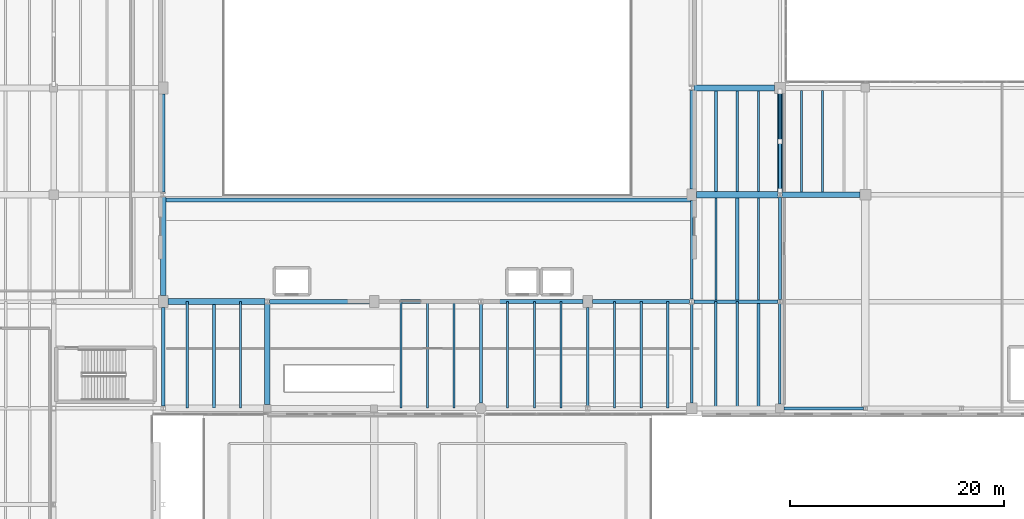
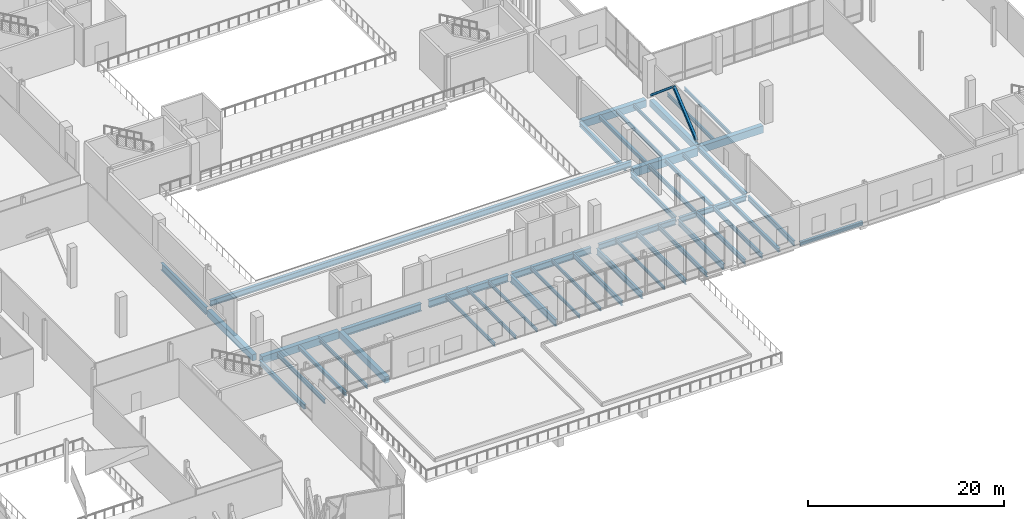
# One storey, part 21 of 60: 46 beams, 2 members.
"""IFC4 building model written with IfcOpenShell, lengths in metres."""

from ifc_helpers import new_model, si_unit, direction, frame, origin, origin_2d, place, context, subcontext, project, spatial, rectangle, hollow_rectangle, i_section, extrude, material, material_profile, profile_set, type_object, element, save


model = new_model("IFC4")

# Units and contexts
model_context = context("Model", 3, precision=1e-05, world=origin(), true_north=direction((0.0, 1.0)))
body_context = subcontext(model_context, "Body", "Model", "MODEL_VIEW")
ifc_project = project(units=[si_unit("LENGTHUNIT", "METRE"), si_unit("AREAUNIT", "SQUARE_METRE"), si_unit("VOLUMEUNIT", "CUBIC_METRE"), si_unit("PLANEANGLEUNIT", "RADIAN"), si_unit("MASSUNIT", "GRAM", prefix="KILO")], contexts=[model_context])

# Site, building, storey
site_placement = place(None, origin())
site = spatial("IfcSite", under=ifc_project, at=site_placement, CompositionType="ELEMENT")
building_placement = place(site_placement, origin())
building = spatial("IfcBuilding", under=site, at=building_placement, Name="Trimount Lyric Opera House", CompositionType="ELEMENT")
storey_placement = place(building_placement, frame((0.0, 0.0, 15.0)))
storey = spatial("IfcBuildingStorey", under=building, at=storey_placement, Name="L03", CompositionType="ELEMENT", Elevation=15.0)

# Beams
ifc_material_1 = material(Name="Steel ASTM A992 Grade 50", Category="steel")
ifc_material_profile_1 = material_profile(ifc_material_1, i_section(OverallWidth=0.4189453125, OverallDepth=0.927001953125, WebThickness=0.019287109375, FlangeThickness=0.031982421875, FilletRadius=0.02392578125, at=origin_2d()), Name="W36X231")
ifc_profile_set_1 = profile_set([ifc_material_profile_1], Name="Steel ASTM A992 Grade 50")
beam_type_1 = type_object("IfcBeamType", Name="B-02", PredefinedType="BEAM", material=ifc_profile_set_1)
beam_1_placement = place(storey_placement, frame((74.2109375, 54.0, -0.78857421875), z_axis=(1.0, 0.0, 0.0), x_axis=(0.0, 1.0, 0.0)))
element("IfcBeam", 1, at=beam_1_placement, inside=storey, type_object=beam_type_1, Name="L03 girder X-0960", PredefinedType="BEAM", context=body_context, shape_type="SweptSolid", body=[
    extrude(i_section(OverallWidth=0.4189453125, OverallDepth=0.927001953125, WebThickness=0.019287109375, FlangeThickness=0.031982421875, FilletRadius=0.02392578125, at=origin_2d()), origin(), (0.0, 0.0, 1.0), 9.339111328125),
])
ifc_material_2 = material(Name="Steel ASTM A992 Grade 50", Category="steel")
ifc_material_profile_2 = material_profile(ifc_material_2, i_section(OverallWidth=0.304931640625, OverallDepth=0.9189453125, WebThickness=0.017333984375, FlangeThickness=0.02783203125, FilletRadius=0.02001953125, at=origin_2d()), Name="W36X170")
ifc_profile_set_2 = profile_set([ifc_material_profile_2], Name="Steel ASTM A992 Grade 50")
beam_type_2 = type_object("IfcBeamType", Name="B-03", PredefinedType="BEAM", material=ifc_profile_set_2)
beam_2_placement = place(storey_placement, frame((64.260009765625, 64.232421875, -0.784423828125), z_axis=(0.0, 1.0, 0.0), x_axis=(-1.0, 0.0, 0.0)))
element("IfcBeam", 2, at=beam_2_placement, inside=storey, type_object=beam_type_2, Name="L03 girder Y-1076", PredefinedType="BEAM", context=body_context, shape_type="SweptSolid", body=[
    extrude(i_section(OverallWidth=0.304931640625, OverallDepth=0.9189453125, WebThickness=0.017333984375, FlangeThickness=0.02783203125, FilletRadius=0.02001953125, at=origin_2d()), origin(), (0.0, 0.0, 1.0), 9.217529296875),
])
ifc_material_3 = material(Name="Steel ASTM A992 Grade 50", Category="steel")
ifc_material_profile_3 = material_profile(ifc_material_3, i_section(OverallWidth=0.40087890625, OverallDepth=0.861083984375, WebThickness=0.019775390625, FlangeThickness=0.032470703125, FilletRadius=0.02001953125, at=origin_2d()), Name="W33X221")
ifc_profile_set_3 = profile_set([ifc_material_profile_3], Name="Steel ASTM A992 Grade 50")
beam_type_3 = type_object("IfcBeamType", Name="B-04", PredefinedType="BEAM", material=ifc_profile_set_3)
beam_3_placement = place(storey_placement, frame((84.449951171875, 54.0, -0.755615234375), z_axis=(1.0, 0.0, 0.0), x_axis=(0.0, 1.0, 0.0)))
element("IfcBeam", 3, at=beam_3_placement, inside=storey, type_object=beam_type_3, Name="L03 girder X-0961", PredefinedType="BEAM", context=body_context, shape_type="SweptSolid", body=[
    extrude(i_section(OverallWidth=0.40087890625, OverallDepth=0.861083984375, WebThickness=0.019775390625, FlangeThickness=0.032470703125, FilletRadius=0.02001953125, at=origin_2d()), origin(), (0.0, 0.0, 1.0), 9.339111328125),
])
ifc_material_4 = material(Name="Steel ASTM A992 Grade 50", Category="steel")
ifc_material_profile_4 = material_profile(ifc_material_4, i_section(OverallWidth=0.2919921875, OverallDepth=0.845947265625, WebThickness=0.015380859375, FlangeThickness=0.0244140625, FilletRadius=0.01806640625, at=origin_2d()), Name="W33X141")
ifc_profile_set_4 = profile_set([ifc_material_profile_4], Name="Steel ASTM A992 Grade 50")
beam_type_4 = type_object("IfcBeamType", Name="B-05", PredefinedType="BEAM", material=ifc_profile_set_4)
beam_4_placement = place(storey_placement, frame((94.0, 44.5, -0.748046875), z_axis=(0.0, 1.0, 0.0), x_axis=(-1.0, 0.0, 0.0)))
element("IfcBeam", 4, at=beam_4_placement, inside=storey, type_object=beam_type_4, Name="L03 girder Y-1086", PredefinedType="BEAM", context=body_context, shape_type="SweptSolid", body=[
    extrude(i_section(OverallWidth=0.2919921875, OverallDepth=0.845947265625, WebThickness=0.015380859375, FlangeThickness=0.0244140625, FilletRadius=0.01806640625, at=origin_2d()), origin(), (0.0, 0.0, 1.0), 9.267578125),
])
ifc_material_5 = material(Name="Steel ASTM A992 Grade 50", Category="steel")
ifc_material_profile_5 = material_profile(ifc_material_5, i_section(OverallWidth=0.382080078125, OverallDepth=0.779052734375, WebThickness=0.01806640625, FlangeThickness=0.0302734375, FilletRadius=0.01904296875, at=origin_2d()), Name="W30X191")
ifc_profile_set_5 = profile_set([ifc_material_profile_5], Name="Steel ASTM A992 Grade 50")
beam_type_5 = type_object("IfcBeamType", Name="B-06", PredefinedType="BEAM", material=ifc_profile_set_5)
beam_5_placement = place(storey_placement, frame((94.2109375, 54.0, -0.714599609375), z_axis=(1.0, 0.0, 0.0), x_axis=(0.0, 1.0, 0.0)))
element("IfcBeam", 5, at=beam_5_placement, inside=storey, type_object=beam_type_5, Name="L03 girder X-0962", PredefinedType="BEAM", context=body_context, shape_type="SweptSolid", body=[
    extrude(i_section(OverallWidth=0.382080078125, OverallDepth=0.779052734375, WebThickness=0.01806640625, FlangeThickness=0.0302734375, FilletRadius=0.01904296875, at=origin_2d()), origin(), (0.0, 0.0, 1.0), 9.339111328125),
])
ifc_material_6 = material(Name="Steel ASTM A992 Grade 50", Category="steel")
ifc_material_profile_6 = material_profile(ifc_material_6, i_section(OverallWidth=0.26708984375, OverallDepth=0.761962890625, WebThickness=0.014404296875, FlangeThickness=0.021484375, FilletRadius=0.01708984375, at=origin_2d()), Name="W30X116")
ifc_profile_set_6 = profile_set([ifc_material_profile_6], Name="Steel ASTM A992 Grade 50")
beam_type_6 = type_object("IfcBeamType", Name="B-07", PredefinedType="BEAM", material=ifc_profile_set_6)
beam_6_placement = place(storey_placement, frame((104.0, 44.232421875, -0.7060546875), z_axis=(0.0, 1.0, 0.0), x_axis=(-1.0, 0.0, 0.0)))
element("IfcBeam", 6, at=beam_6_placement, inside=storey, type_object=beam_type_6, Name="L03 girder Y-1087", PredefinedType="BEAM", context=body_context, shape_type="SweptSolid", body=[
    extrude(i_section(OverallWidth=0.26708984375, OverallDepth=0.761962890625, WebThickness=0.014404296875, FlangeThickness=0.021484375, FilletRadius=0.01708984375, at=origin_2d()), origin(), (0.0, 0.0, 1.0), 9.217529296875),
])
ifc_material_7 = material(Name="Steel ASTM A992 Grade 50", Category="steel")
ifc_material_profile_7 = material_profile(ifc_material_7, i_section(OverallWidth=0.35595703125, OverallDepth=0.700927734375, WebThickness=0.016845703125, FlangeThickness=0.02734375, FilletRadius=0.01806640625, at=origin_2d()), Name="W27X161")
ifc_profile_set_7 = profile_set([ifc_material_profile_7], Name="Steel ASTM A992 Grade 50")
beam_type_7 = type_object("IfcBeamType", Name="B-08", PredefinedType="BEAM", material=ifc_profile_set_7)
beam_7_placement = place(storey_placement, frame((104.449951171875, 54.0, -0.675537109375), z_axis=(1.0, 0.0, 0.0), x_axis=(0.0, 1.0, 0.0)))
element("IfcBeam", 7, at=beam_7_placement, inside=storey, type_object=beam_type_7, Name="L03 girder X-0963", PredefinedType="BEAM", context=body_context, shape_type="SweptSolid", body=[
    extrude(i_section(OverallWidth=0.35595703125, OverallDepth=0.700927734375, WebThickness=0.016845703125, FlangeThickness=0.02734375, FilletRadius=0.01806640625, at=origin_2d()), origin(), (0.0, 0.0, 1.0), 9.0791015625),
])
ifc_material_8 = material(Name="Steel ASTM A992 Grade 50", Category="steel")
ifc_material_profile_8 = material_profile(ifc_material_8, i_section(OverallWidth=0.25390625, OverallDepth=0.68798828125, WebThickness=0.01318359375, FlangeThickness=0.02099609375, FilletRadius=0.01611328125, at=origin_2d()), Name="W27X102")
ifc_profile_set_8 = profile_set([ifc_material_profile_8], Name="Steel ASTM A992 Grade 50")
beam_type_8 = type_object("IfcBeamType", Name="B-09", PredefinedType="BEAM", material=ifc_profile_set_8)
beam_8_placement = place(storey_placement, frame((113.739990234375, 44.5, -0.6689453125), z_axis=(0.0, 1.0, 0.0), x_axis=(-1.0, 0.0, 0.0)))
element("IfcBeam", 8, at=beam_8_placement, inside=storey, type_object=beam_type_8, Name="L03 girder Y-1089", PredefinedType="BEAM", context=body_context, shape_type="SweptSolid", body=[
    extrude(i_section(OverallWidth=0.25390625, OverallDepth=0.68798828125, WebThickness=0.01318359375, FlangeThickness=0.02099609375, FilletRadius=0.01611328125, at=origin_2d()), origin(), (0.0, 0.0, 1.0), 9.267578125),
])
ifc_material_9 = material(Name="Steel ASTM A992 Grade 50", Category="steel")
ifc_material_profile_9 = material_profile(ifc_material_9, i_section(OverallWidth=0.327880859375, OverallDepth=0.626953125, WebThickness=0.0166015625, FlangeThickness=0.027587890625, FilletRadius=0.01611328125, at=origin_2d()), Name="W24X146")
ifc_profile_set_9 = profile_set([ifc_material_profile_9], Name="Steel ASTM A992 Grade 50")
beam_type_9 = type_object("IfcBeamType", Name="B-10", PredefinedType="BEAM", material=ifc_profile_set_9)
beam_9_placement = place(storey_placement, frame((113.950927734375, 54.0, -0.638427734375), z_axis=(1.0, 0.0, 0.0), x_axis=(0.0, 1.0, 0.0)))
element("IfcBeam", 9, at=beam_9_placement, inside=storey, type_object=beam_type_9, Name="L03 girder X-0964", PredefinedType="BEAM", context=body_context, shape_type="SweptSolid", body=[
    extrude(i_section(OverallWidth=0.327880859375, OverallDepth=0.626953125, WebThickness=0.0166015625, FlangeThickness=0.027587890625, FilletRadius=0.01611328125, at=origin_2d()), origin(), (0.0, 0.0, 1.0), 7.862548828125),
])
ifc_material_10 = material(Name="Steel ASTM A992 Grade 50", Category="steel")
ifc_material_profile_10 = material_profile(ifc_material_10, i_section(OverallWidth=0.22998046875, OverallDepth=0.616943359375, WebThickness=0.01318359375, FlangeThickness=0.022216796875, FilletRadius=0.013916015625, at=origin_2d()), Name="W24X94")
ifc_profile_set_10 = profile_set([ifc_material_profile_10], Name="Steel ASTM A992 Grade 50")
beam_type_10 = type_object("IfcBeamType", Name="B-11", PredefinedType="BEAM", material=ifc_profile_set_10)
beam_10_placement = place(storey_placement, frame((113.739990234375, 54.232421875, -0.633544921875), z_axis=(0.0, 1.0, 0.0), x_axis=(-1.0, 0.0, 0.0)))
element("IfcBeam", 10, at=beam_10_placement, inside=storey, type_object=beam_type_10, Name="L03 girder Y-1090", PredefinedType="BEAM", context=body_context, shape_type="SweptSolid", body=[
    extrude(i_section(OverallWidth=0.22998046875, OverallDepth=0.616943359375, WebThickness=0.01318359375, FlangeThickness=0.022216796875, FilletRadius=0.013916015625, at=origin_2d()), origin(), (0.0, 0.0, 1.0), 9.217529296875),
])
beam_11_placement = place(storey_placement, frame((122.0, 44.39990234375, -0.57861328125), z_axis=(0.0, 1.0, 0.0), x_axis=(-1.0, 0.0, 0.0)))
element("IfcBeam", 11, at=beam_11_placement, inside=storey, type_object=beam_type_10, Name="L03 girder Y-1096", PredefinedType="BEAM", context=body_context, shape_type="SweptSolid", body=[
    extrude(i_section(OverallWidth=0.22998046875, OverallDepth=0.616943359375, WebThickness=0.01318359375, FlangeThickness=0.022216796875, FilletRadius=0.013916015625, at=origin_2d()), origin(), (0.0, 0.0, 1.0), 9.416015625),
])
ifc_material_11 = material(Name="Steel ASTM A992 Grade 50", Category="steel")
ifc_material_profile_11 = material_profile(ifc_material_11, i_section(OverallWidth=0.31201171875, OverallDepth=0.5458984375, WebThickness=0.013916015625, FlangeThickness=0.022216796875, FilletRadius=0.014892578125, at=origin_2d()), Name="W21X111")
ifc_profile_set_11 = profile_set([ifc_material_profile_11], Name="Steel ASTM A992 Grade 50")
beam_type_11 = type_object("IfcBeamType", Name="B-12", PredefinedType="BEAM", material=ifc_profile_set_11)
beam_12_placement = place(storey_placement, frame((64.260009765625, 44.20849609375, -0.597900390625), z_axis=(0.0, 1.0, 0.0), x_axis=(-1.0, 0.0, 0.0)))
element("IfcBeam", 12, at=beam_12_placement, inside=storey, type_object=beam_type_11, Name="L03 girder Y-1074", PredefinedType="BEAM", context=body_context, shape_type="SweptSolid", body=[
    extrude(i_section(OverallWidth=0.31201171875, OverallDepth=0.5458984375, WebThickness=0.013916015625, FlangeThickness=0.022216796875, FilletRadius=0.014892578125, at=origin_2d()), origin(), (0.0, 0.0, 1.0), 9.241455078125),
])
beam_13_placement = place(storey_placement, frame((113.739990234375, 64.550048828125, -0.597900390625), z_axis=(0.0, 1.0, 0.0), x_axis=(-1.0, 0.0, 0.0)))
element("IfcBeam", 13, at=beam_13_placement, inside=storey, type_object=beam_type_11, Name="L03 girder Y-1091", PredefinedType="BEAM", context=body_context, shape_type="SweptSolid", body=[
    extrude(i_section(OverallWidth=0.31201171875, OverallDepth=0.5458984375, WebThickness=0.013916015625, FlangeThickness=0.022216796875, FilletRadius=0.014892578125, at=origin_2d()), origin(), (0.0, 0.0, 1.0), 9.217529296875),
])
beam_14_placement = place(storey_placement, frame((122.0, 54.18408203125, -0.54296875), z_axis=(0.0, 1.0, 0.0), x_axis=(-1.0, 0.0, 0.0)))
element("IfcBeam", 14, at=beam_14_placement, inside=storey, type_object=beam_type_11, Name="L03 girder Y-1097", PredefinedType="BEAM", context=body_context, shape_type="SweptSolid", body=[
    extrude(i_section(OverallWidth=0.31201171875, OverallDepth=0.5458984375, WebThickness=0.013916015625, FlangeThickness=0.022216796875, FilletRadius=0.014892578125, at=origin_2d()), origin(), (0.0, 0.0, 1.0), 9.622802734375),
])
ifc_material_12 = material(Name="Concrete C40/50", Category="concrete")
ifc_material_profile_12 = material_profile(ifc_material_12, rectangle(XDim=0.60009765625, YDim=1.0, at=origin_2d()), Name="RC600X1000")
ifc_profile_set_12 = profile_set([ifc_material_profile_12], Name="Concrete C40/50")
beam_type_12 = type_object("IfcBeamType", Name="B-13", PredefinedType="BEAM", material=ifc_profile_set_12)
beam_15_placement = place(storey_placement, frame((114.18994140625, 64.0, -0.824951171875), z_axis=(1.0, 0.0, 0.0), x_axis=(0.0, 1.0, 0.0)))
element("IfcBeam", 15, at=beam_15_placement, inside=storey, type_object=beam_type_12, Name="L03 girder X-0974", PredefinedType="BEAM", context=body_context, shape_type="SweptSolid", body=[
    extrude(rectangle(XDim=0.60009765625, YDim=1.0, at=origin_2d()), origin(), (0.0, 0.0, 1.0), 7.610595703125),
])
ifc_material_13 = material(Name="Concrete C40/50", Category="concrete")
ifc_material_profile_13 = material_profile(ifc_material_13, rectangle(XDim=0.550048828125, YDim=0.89990234375, at=origin_2d()), Name="RC550X900")
ifc_profile_set_13 = profile_set([ifc_material_profile_13], Name="Concrete C40/50")
beam_type_13 = type_object("IfcBeamType", Name="B-14", PredefinedType="BEAM", material=ifc_profile_set_13)
beam_16_placement = place(storey_placement, frame((64.7099609375, 54.0, -0.77490234375), z_axis=(1.0, 0.0, 0.0), x_axis=(0.0, 1.0, 0.0)))
element("IfcBeam", 16, at=beam_16_placement, inside=storey, type_object=beam_type_13, Name="L03 girder X-0959", PredefinedType="BEAM", context=body_context, shape_type="SweptSolid", body=[
    extrude(rectangle(XDim=0.550048828125, YDim=0.89990234375, at=origin_2d()), origin(), (0.0, 0.0, 1.0), 9.0791015625),
])
beam_17_placement = place(storey_placement, frame((122.199462890625, 64.0, -0.719970703125), z_axis=(1.0, 0.0, 0.0), x_axis=(0.0, 1.0, 0.0)))
element("IfcBeam", 17, at=beam_17_placement, inside=storey, type_object=beam_type_13, Name="L03 girder X-0975", PredefinedType="BEAM", context=body_context, shape_type="SweptSolid", body=[
    extrude(rectangle(XDim=0.550048828125, YDim=0.89990234375, at=origin_2d()), origin(), (0.0, 0.0, 1.0), 7.300537109375),
])
beam_18_placement = place(storey_placement, frame((113.950927734375, 74.0, -0.77490234375), z_axis=(1.0, 0.0, 0.0), x_axis=(0.0, 1.0, 0.0)))
element("IfcBeam", 18, at=beam_18_placement, inside=storey, type_object=beam_type_13, Name="L03 girder X-0985", PredefinedType="BEAM", context=body_context, shape_type="SweptSolid", body=[
    extrude(rectangle(XDim=0.550048828125, YDim=0.89990234375, at=origin_2d()), origin(), (0.0, 0.0, 1.0), 7.549072265625),
])
ifc_material_14 = material(Name="Concrete C40/50", Category="concrete")
ifc_material_profile_14 = material_profile(ifc_material_14, rectangle(XDim=0.5, YDim=0.800048828125, at=origin_2d()), Name="RC500X800")
ifc_profile_set_14 = profile_set([ifc_material_profile_14], Name="Concrete C40/50")
beam_type_14 = type_object("IfcBeamType", Name="B-15", PredefinedType="BEAM", material=ifc_profile_set_14)
beam_19_placement = place(storey_placement, frame((64.260009765625, 54.550048828125, -0.72509765625), z_axis=(0.0, 1.0, 0.0), x_axis=(-1.0, 0.0, 0.0)))
element("IfcBeam", 19, at=beam_19_placement, inside=storey, type_object=beam_type_14, Name="L03 girder Y-1075", PredefinedType="BEAM", context=body_context, shape_type="SweptSolid", body=[
    extrude(rectangle(XDim=0.5, YDim=0.800048828125, at=origin_2d()), origin(), (0.0, 0.0, 1.0), 9.217529296875),
])
beam_20_placement = place(storey_placement, frame((74.0, 44.35009765625, -0.72509765625), z_axis=(0.0, 1.0, 0.0), x_axis=(-1.0, 0.0, 0.0)))
element("IfcBeam", 20, at=beam_20_placement, inside=storey, type_object=beam_type_14, Name="L03 girder Y-1082", PredefinedType="BEAM", context=body_context, shape_type="SweptSolid", body=[
    extrude(rectangle(XDim=0.5, YDim=0.800048828125, at=origin_2d()), origin(), (0.0, 0.0, 1.0), 9.41748046875),
])
beam_21_placement = place(storey_placement, frame((122.0, 64.193115234375, -0.669921875), z_axis=(0.0, 1.0, 0.0), x_axis=(-1.0, 0.0, 0.0)))
element("IfcBeam", 21, at=beam_21_placement, inside=storey, type_object=beam_type_14, Name="L03 girder Y-1098", PredefinedType="BEAM", context=body_context, shape_type="SweptSolid", body=[
    extrude(rectangle(XDim=0.5, YDim=0.800048828125, at=origin_2d()), origin(), (0.0, 0.0, 1.0), 9.306884765625),
])

# Members
ifc_material_15 = material(Name="Steel ASTM A500 Grade C", Category="steel")
ifc_material_profile_15 = material_profile(ifc_material_15, hollow_rectangle(XDim=0.3046875, YDim=0.3046875, WallThickness=0.01171875, InnerFilletRadius=0.01220703125, OuterFilletRadius=0.02392578125, at=origin_2d()), Name="HSS304.8X304.8X12.7")
ifc_profile_set_15 = profile_set([ifc_material_profile_15], Name="Steel ASTM A500 Grade C")
member_type_1 = type_object("IfcMemberType", Name="BR-02", PredefinedType="BRACE", material=ifc_profile_set_15)
member_1_placement = place(storey_placement, frame((122.0, 64.35009765625, 0.14990234375), z_axis=(0.0, 0.766173014074, 0.642634353661), x_axis=(-1.0, 0.0, 0.0)))
element("IfcMember", 22, at=member_1_placement, inside=storey, type_object=member_type_1, Name="L03 lateral chevron brace BF-3.1", PredefinedType="BRACE", context=body_context, shape_type="SweptSolid", body=[
    extrude(hollow_rectangle(XDim=0.3046875, YDim=0.3046875, WallThickness=0.01171875, InnerFilletRadius=0.01220703125, OuterFilletRadius=0.02392578125, at=origin_2d()), origin(), (0.0, 0.0, 1.0), 6.069091796875),
])
ifc_material_16 = material(Name="Steel ASTM A500 Grade C", Category="steel")
ifc_material_profile_16 = material_profile(ifc_material_16, hollow_rectangle(XDim=0.25390625, YDim=0.25390625, WallThickness=0.01171875, InnerFilletRadius=0.01220703125, OuterFilletRadius=0.02392578125, at=origin_2d()), Name="HSS254.0X254.0X12.7")
ifc_profile_set_16 = profile_set([ifc_material_profile_16], Name="Steel ASTM A500 Grade C")
member_type_2 = type_object("IfcMemberType", Name="BR-03", PredefinedType="BRACE", material=ifc_profile_set_16)
member_2_placement = place(storey_placement, frame((122.0, 73.64990234375, 0.14990234375), z_axis=(0.0, -0.766173014074, 0.642634353661), x_axis=(1.0, 0.0, 0.0)))
element("IfcMember", 23, at=member_2_placement, inside=storey, type_object=member_type_2, Name="L03 lateral chevron brace BF-3.2", PredefinedType="BRACE", context=body_context, shape_type="SweptSolid", body=[
    extrude(hollow_rectangle(XDim=0.25390625, YDim=0.25390625, WallThickness=0.01171875, InnerFilletRadius=0.01220703125, OuterFilletRadius=0.02392578125, at=origin_2d()), origin(), (0.0, 0.0, 1.0), 6.069091796875),
])

# Beams
ifc_material_17 = material(Name="Steel ASTM A992 Grade 50", Category="steel")
ifc_material_profile_17 = material_profile(ifc_material_17, i_section(OverallWidth=0.22802734375, OverallDepth=0.60205078125, WebThickness=0.010498046875, FlangeThickness=0.014892578125, FilletRadius=0.012939453125, at=origin_2d()), Name="W24X68")
ifc_profile_set_17 = profile_set([ifc_material_profile_17], Name="Steel ASTM A992 Grade 50")
beam_type_15 = type_object("IfcBeamType", Name="J-01", PredefinedType="BEAM", material=ifc_profile_set_17)
for number, where, z_axis, x_axis, name in (
    (24, (101.5, 44.011962890625, -0.6259765625), (0.0, 1.0, 0.0), (-1.0, 0.0, 0.0), "L03 composite floor joist 1082"),
    (25, (109.0, 44.011962890625, -0.6259765625), (0.0, 1.0, 0.0), (-1.0, 0.0, 0.0), "L03 composite floor joist 1084"),
    (26, (116.0, 44.011962890625, -0.571044921875), (0.0, 1.0, 0.0), (-1.0, 0.0, 0.0), "L03 composite floor joist 1086"),
):
    element("IfcBeam", number, at=place(storey_placement, frame(where, z_axis=z_axis, x_axis=x_axis)), inside=storey, type_object=beam_type_15, Name=name, PredefinedType="BEAM", context=body_context, shape_type="SweptSolid", body=[
        extrude(i_section(OverallWidth=0.22802734375, OverallDepth=0.60205078125, WebThickness=0.010498046875, FlangeThickness=0.014892578125, FilletRadius=0.012939453125, at=origin_2d()), origin(), (0.0, 0.0, 1.0), 9.97607421875),
    ])
ifc_material_18 = material(Name="Steel ASTM A992 Grade 50", Category="steel")
ifc_material_profile_18 = material_profile(ifc_material_18, i_section(OverallWidth=0.2099609375, OverallDepth=0.532958984375, WebThickness=0.01025390625, FlangeThickness=0.015625, FilletRadius=0.012939453125, at=origin_2d()), Name="W21X62")
ifc_profile_set_18 = profile_set([ifc_material_profile_18], Name="Steel ASTM A992 Grade 50")
beam_type_16 = type_object("IfcBeamType", Name="J-02", PredefinedType="BEAM", material=ifc_profile_set_18)
for number, where, z_axis, x_axis, name in (
    (27, (66.5, 44.011962890625, -0.591552734375), (0.0, 1.0, 0.0), (-1.0, 0.0, 0.0), "L03 composite floor joist 1074"),
    (28, (111.5, 44.011962890625, -0.591552734375), (0.0, 1.0, 0.0), (-1.0, 0.0, 0.0), "L03 composite floor joist 1085"),
    (29, (118.0, 44.011962890625, -0.53662109375), (0.0, 1.0, 0.0), (-1.0, 0.0, 0.0), "L03 composite floor joist 1087"),
):
    element("IfcBeam", number, at=place(storey_placement, frame(where, z_axis=z_axis, x_axis=x_axis)), inside=storey, type_object=beam_type_16, Name=name, PredefinedType="BEAM", context=body_context, shape_type="SweptSolid", body=[
        extrude(i_section(OverallWidth=0.2099609375, OverallDepth=0.532958984375, WebThickness=0.01025390625, FlangeThickness=0.015625, FilletRadius=0.012939453125, at=origin_2d()), origin(), (0.0, 0.0, 1.0), 9.97607421875),
    ])
beam_22_placement = place(storey_placement, frame((116.0, 54.159912109375, -0.53662109375), z_axis=(0.0, 1.0, 0.0), x_axis=(-1.0, 0.0, 0.0)))
element("IfcBeam", 30, at=beam_22_placement, inside=storey, type_object=beam_type_16, Name="L03 composite floor joist 1089", PredefinedType="BEAM", context=body_context, shape_type="SweptSolid", body=[
    extrude(i_section(OverallWidth=0.2099609375, OverallDepth=0.532958984375, WebThickness=0.01025390625, FlangeThickness=0.015625, FilletRadius=0.012939453125, at=origin_2d()), origin(), (0.0, 0.0, 1.0), 9.544189453125),
])
ifc_material_19 = material(Name="Steel ASTM A992 Grade 50", Category="steel")
ifc_material_profile_19 = material_profile(ifc_material_19, i_section(OverallWidth=0.281982421875, OverallDepth=0.467041015625, WebThickness=0.01220703125, FlangeThickness=0.01953125, FilletRadius=0.012939453125, at=origin_2d()), Name="W18X86")
ifc_profile_set_19 = profile_set([ifc_material_profile_19], Name="Steel ASTM A992 Grade 50")
beam_type_17 = type_object("IfcBeamType", Name="J-03", PredefinedType="BEAM", material=ifc_profile_set_19)
for number, where, z_axis, x_axis, name in (
    (31, (69.0, 44.011962890625, -0.55859375), (0.0, 1.0, 0.0), (-1.0, 0.0, 0.0), "L03 composite floor joist 1075"),
    (32, (120.0, 44.011962890625, -0.50341796875), (0.0, 1.0, 0.0), (-1.0, 0.0, 0.0), "L03 composite floor joist 1088"),
):
    element("IfcBeam", number, at=place(storey_placement, frame(where, z_axis=z_axis, x_axis=x_axis)), inside=storey, type_object=beam_type_17, Name=name, PredefinedType="BEAM", context=body_context, shape_type="SweptSolid", body=[
        extrude(i_section(OverallWidth=0.281982421875, OverallDepth=0.467041015625, WebThickness=0.01220703125, FlangeThickness=0.01953125, FilletRadius=0.012939453125, at=origin_2d()), origin(), (0.0, 0.0, 1.0), 9.97607421875),
    ])
beam_23_placement = place(storey_placement, frame((118.0, 54.159912109375, -0.50341796875), z_axis=(0.0, 1.0, 0.0), x_axis=(-1.0, 0.0, 0.0)))
element("IfcBeam", 33, at=beam_23_placement, inside=storey, type_object=beam_type_17, Name="L03 composite floor joist 1090", PredefinedType="BEAM", context=body_context, shape_type="SweptSolid", body=[
    extrude(i_section(OverallWidth=0.281982421875, OverallDepth=0.467041015625, WebThickness=0.01220703125, FlangeThickness=0.01953125, FilletRadius=0.012939453125, at=origin_2d()), origin(), (0.0, 0.0, 1.0), 9.544189453125),
])
beam_24_placement = place(storey_placement, frame((116.0, 64.2958984375, -0.50341796875), z_axis=(0.0, 1.0, 0.0), x_axis=(-1.0, 0.0, 0.0)))
element("IfcBeam", 34, at=beam_24_placement, inside=storey, type_object=beam_type_17, Name="L03 composite floor joist 1092", PredefinedType="BEAM", context=body_context, shape_type="SweptSolid", body=[
    extrude(i_section(OverallWidth=0.281982421875, OverallDepth=0.467041015625, WebThickness=0.01220703125, FlangeThickness=0.01953125, FilletRadius=0.012939453125, at=origin_2d()), origin(), (0.0, 0.0, 1.0), 9.43310546875),
])
ifc_material_20 = material(Name="Steel ASTM A992 Grade 50", Category="steel")
ifc_material_profile_20 = material_profile(ifc_material_20, i_section(OverallWidth=0.19091796875, OverallDepth=0.45703125, WebThickness=0.009033203125, FlangeThickness=0.014404296875, FilletRadius=0.010986328125, at=origin_2d()), Name="W18X50")
ifc_profile_set_20 = profile_set([ifc_material_profile_20], Name="Steel ASTM A992 Grade 50")
beam_type_18 = type_object("IfcBeamType", Name="J-04", PredefinedType="BEAM", material=ifc_profile_set_20)
for number, where, z_axis, x_axis, name in (
    (35, (71.5, 44.011962890625, -0.553466796875), (0.0, 1.0, 0.0), (-1.0, 0.0, 0.0), "L03 composite floor joist 1076"),
    (36, (86.5, 44.011962890625, -0.553466796875), (0.0, 1.0, 0.0), (-1.0, 0.0, 0.0), "L03 composite floor joist 1077"),
):
    element("IfcBeam", number, at=place(storey_placement, frame(where, z_axis=z_axis, x_axis=x_axis)), inside=storey, type_object=beam_type_18, Name=name, PredefinedType="BEAM", context=body_context, shape_type="SweptSolid", body=[
        extrude(i_section(OverallWidth=0.19091796875, OverallDepth=0.45703125, WebThickness=0.009033203125, FlangeThickness=0.014404296875, FilletRadius=0.010986328125, at=origin_2d()), origin(), (0.0, 0.0, 1.0), 9.97607421875),
    ])
beam_25_placement = place(storey_placement, frame((120.0, 54.159912109375, -0.49853515625), z_axis=(0.0, 1.0, 0.0), x_axis=(-1.0, 0.0, 0.0)))
element("IfcBeam", 37, at=beam_25_placement, inside=storey, type_object=beam_type_18, Name="L03 composite floor joist 1091", PredefinedType="BEAM", context=body_context, shape_type="SweptSolid", body=[
    extrude(i_section(OverallWidth=0.19091796875, OverallDepth=0.45703125, WebThickness=0.009033203125, FlangeThickness=0.014404296875, FilletRadius=0.010986328125, at=origin_2d()), origin(), (0.0, 0.0, 1.0), 9.544189453125),
])
beam_26_placement = place(storey_placement, frame((118.0, 64.2958984375, -0.49853515625), z_axis=(0.0, 1.0, 0.0), x_axis=(-1.0, 0.0, 0.0)))
element("IfcBeam", 38, at=beam_26_placement, inside=storey, type_object=beam_type_18, Name="L03 composite floor joist 1093", PredefinedType="BEAM", context=body_context, shape_type="SweptSolid", body=[
    extrude(i_section(OverallWidth=0.19091796875, OverallDepth=0.45703125, WebThickness=0.009033203125, FlangeThickness=0.014404296875, FilletRadius=0.010986328125, at=origin_2d()), origin(), (0.0, 0.0, 1.0), 9.43310546875),
])
beam_27_placement = place(storey_placement, frame((124.0, 64.27099609375, -0.49853515625), z_axis=(0.0, 1.0, 0.0), x_axis=(-1.0, 0.0, 0.0)))
element("IfcBeam", 39, at=beam_27_placement, inside=storey, type_object=beam_type_18, Name="L03 composite floor joist 1095", PredefinedType="BEAM", context=body_context, shape_type="SweptSolid", body=[
    extrude(i_section(OverallWidth=0.19091796875, OverallDepth=0.45703125, WebThickness=0.009033203125, FlangeThickness=0.014404296875, FilletRadius=0.010986328125, at=origin_2d()), origin(), (0.0, 0.0, 1.0), 9.508056640625),
])
ifc_material_21 = material(Name="Steel ASTM A992 Grade 50", Category="steel")
ifc_material_profile_21 = material_profile(ifc_material_21, i_section(OverallWidth=0.180908203125, OverallDepth=0.4169921875, WebThickness=0.010986328125, FlangeThickness=0.018310546875, FilletRadius=0.010986328125, at=origin_2d()), Name="W16X57")
ifc_profile_set_21 = profile_set([ifc_material_profile_21], Name="Steel ASTM A992 Grade 50")
beam_type_19 = type_object("IfcBeamType", Name="J-05", PredefinedType="BEAM", material=ifc_profile_set_21)
for number, where, z_axis, x_axis, name in (
    (40, (89.0, 44.011962890625, -0.533447265625), (0.0, 1.0, 0.0), (-1.0, 0.0, 0.0), "L03 composite floor joist 1078"),
    (41, (96.5, 44.011962890625, -0.533447265625), (0.0, 1.0, 0.0), (-1.0, 0.0, 0.0), "L03 composite floor joist 1080"),
):
    element("IfcBeam", number, at=place(storey_placement, frame(where, z_axis=z_axis, x_axis=x_axis)), inside=storey, type_object=beam_type_19, Name=name, PredefinedType="BEAM", context=body_context, shape_type="SweptSolid", body=[
        extrude(i_section(OverallWidth=0.180908203125, OverallDepth=0.4169921875, WebThickness=0.010986328125, FlangeThickness=0.018310546875, FilletRadius=0.010986328125, at=origin_2d()), origin(), (0.0, 0.0, 1.0), 9.97607421875),
    ])
beam_28_placement = place(storey_placement, frame((120.0, 64.2958984375, -0.478515625), z_axis=(0.0, 1.0, 0.0), x_axis=(-1.0, 0.0, 0.0)))
element("IfcBeam", 42, at=beam_28_placement, inside=storey, type_object=beam_type_19, Name="L03 composite floor joist 1094", PredefinedType="BEAM", context=body_context, shape_type="SweptSolid", body=[
    extrude(i_section(OverallWidth=0.180908203125, OverallDepth=0.4169921875, WebThickness=0.010986328125, FlangeThickness=0.018310546875, FilletRadius=0.010986328125, at=origin_2d()), origin(), (0.0, 0.0, 1.0), 9.43310546875),
])
beam_29_placement = place(storey_placement, frame((126.0, 64.27099609375, -0.478515625), z_axis=(0.0, 1.0, 0.0), x_axis=(-1.0, 0.0, 0.0)))
element("IfcBeam", 43, at=beam_29_placement, inside=storey, type_object=beam_type_19, Name="L03 composite floor joist 1096", PredefinedType="BEAM", context=body_context, shape_type="SweptSolid", body=[
    extrude(i_section(OverallWidth=0.180908203125, OverallDepth=0.4169921875, WebThickness=0.010986328125, FlangeThickness=0.018310546875, FilletRadius=0.010986328125, at=origin_2d()), origin(), (0.0, 0.0, 1.0), 9.508056640625),
])
ifc_material_22 = material(Name="Steel ASTM A992 Grade 50", Category="steel")
ifc_material_profile_22 = material_profile(ifc_material_22, i_section(OverallWidth=0.177978515625, OverallDepth=0.404052734375, WebThickness=0.007568359375, FlangeThickness=0.010986328125, FilletRadius=0.010009765625, at=origin_2d()), Name="W16X36")
ifc_profile_set_22 = profile_set([ifc_material_profile_22], Name="Steel ASTM A992 Grade 50")
beam_type_20 = type_object("IfcBeamType", Name="J-06", PredefinedType="BEAM", material=ifc_profile_set_22)
for number, where, z_axis, x_axis, name in (
    (44, (91.5, 44.011962890625, -0.527099609375), (0.0, 1.0, 0.0), (-1.0, 0.0, 0.0), "L03 composite floor joist 1079"),
    (45, (99.0, 44.011962890625, -0.527099609375), (0.0, 1.0, 0.0), (-1.0, 0.0, 0.0), "L03 composite floor joist 1081"),
    (46, (106.5, 44.011962890625, -0.527099609375), (0.0, 1.0, 0.0), (-1.0, 0.0, 0.0), "L03 composite floor joist 1083"),
):
    element("IfcBeam", number, at=place(storey_placement, frame(where, z_axis=z_axis, x_axis=x_axis)), inside=storey, type_object=beam_type_20, Name=name, PredefinedType="BEAM", context=body_context, shape_type="SweptSolid", body=[
        extrude(i_section(OverallWidth=0.177978515625, OverallDepth=0.404052734375, WebThickness=0.007568359375, FlangeThickness=0.010986328125, FilletRadius=0.010009765625, at=origin_2d()), origin(), (0.0, 0.0, 1.0), 9.97607421875),
    ])
ifc_material_23 = material(Name="Steel ASTM A992 Grade 50", Category="steel")
ifc_material_profile_23 = material_profile(ifc_material_23, i_section(OverallWidth=0.35595703125, OverallDepth=0.700927734375, WebThickness=0.016845703125, FlangeThickness=0.02734375, FilletRadius=0.01806640625, at=origin_2d()), Name="W27X161")
ifc_profile_set_23 = profile_set([ifc_material_profile_23], Name="Steel ASTM A992 Grade 50")
beam_type_21 = type_object("IfcBeamType", Name="RK-01", PredefinedType="USERDEFINED", material=ifc_profile_set_23)
beam_30_placement = place(storey_placement, frame((64.179931640625, 63.5, 0.670654296875), z_axis=(1.0, 0.0, 0.0), x_axis=(0.0, 1.0, 0.0)))
element("IfcBeam", 47, at=beam_30_placement, inside=storey, type_object=beam_type_21, Name="Grand Tier Balcony Tier raker 1", ObjectType="RAKER", PredefinedType="USERDEFINED", context=body_context, shape_type="SweptSolid", body=[
    extrude(i_section(OverallWidth=0.35595703125, OverallDepth=0.700927734375, WebThickness=0.016845703125, FlangeThickness=0.02734375, FilletRadius=0.01806640625, at=origin_2d()), origin(), (0.0, 0.0, 1.0), 49.64013671875),
])
ifc_material_24 = material(Name="Steel ASTM A992 Grade 50", Category="steel")
ifc_material_profile_24 = material_profile(ifc_material_24, i_section(OverallWidth=0.281982421875, OverallDepth=0.467041015625, WebThickness=0.01220703125, FlangeThickness=0.01953125, FilletRadius=0.012939453125, at=origin_2d()), Name="W18X86")
ifc_profile_set_24 = profile_set([ifc_material_profile_24], Name="Steel ASTM A992 Grade 50")
beam_type_22 = type_object("IfcBeamType", Name="SP-01", PredefinedType="SPANDREL", material=ifc_profile_set_24)
beam_31_placement = place(storey_placement, frame((122.39990234375, 44.0, -0.50341796875), z_axis=(1.0, 0.0, 0.0), x_axis=(0.0, 1.0, 0.0)))
element("IfcBeam", 48, at=beam_31_placement, inside=storey, type_object=beam_type_22, Name="L03 girder X-0950", PredefinedType="SPANDREL", context=body_context, shape_type="SweptSolid", body=[
    extrude(i_section(OverallWidth=0.281982421875, OverallDepth=0.467041015625, WebThickness=0.01220703125, FlangeThickness=0.01953125, FilletRadius=0.012939453125, at=origin_2d()), origin(), (0.0, 0.0, 1.0), 7.41357421875),
])

save(model, "model.ifc")
